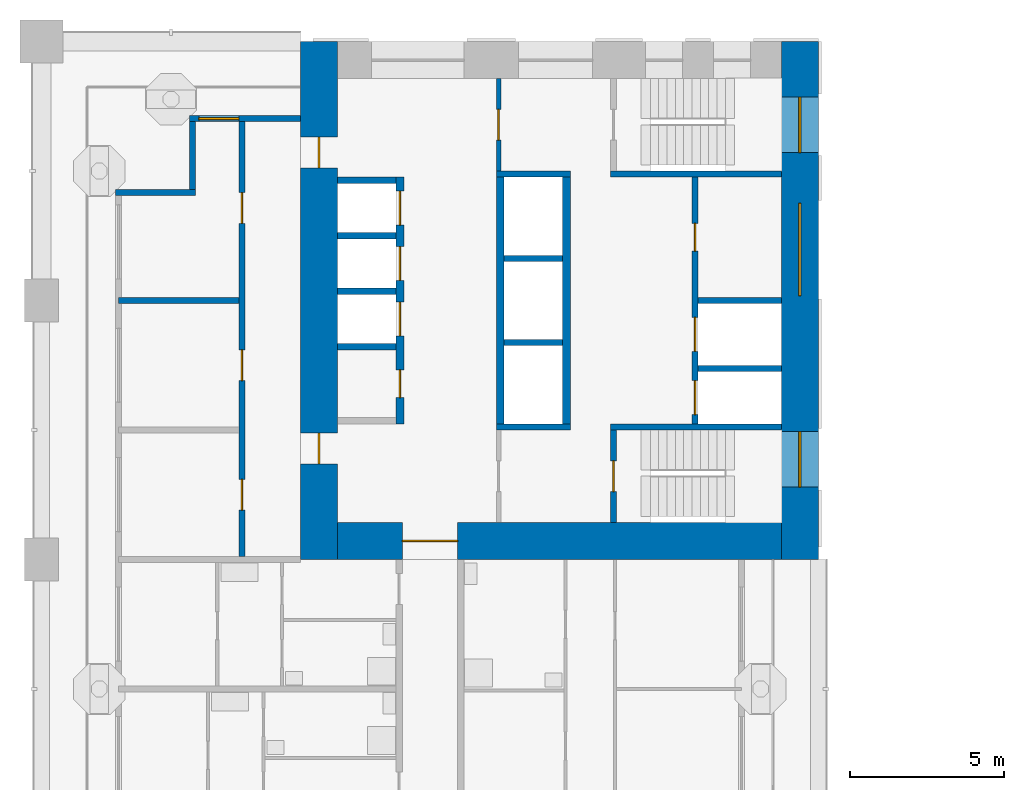
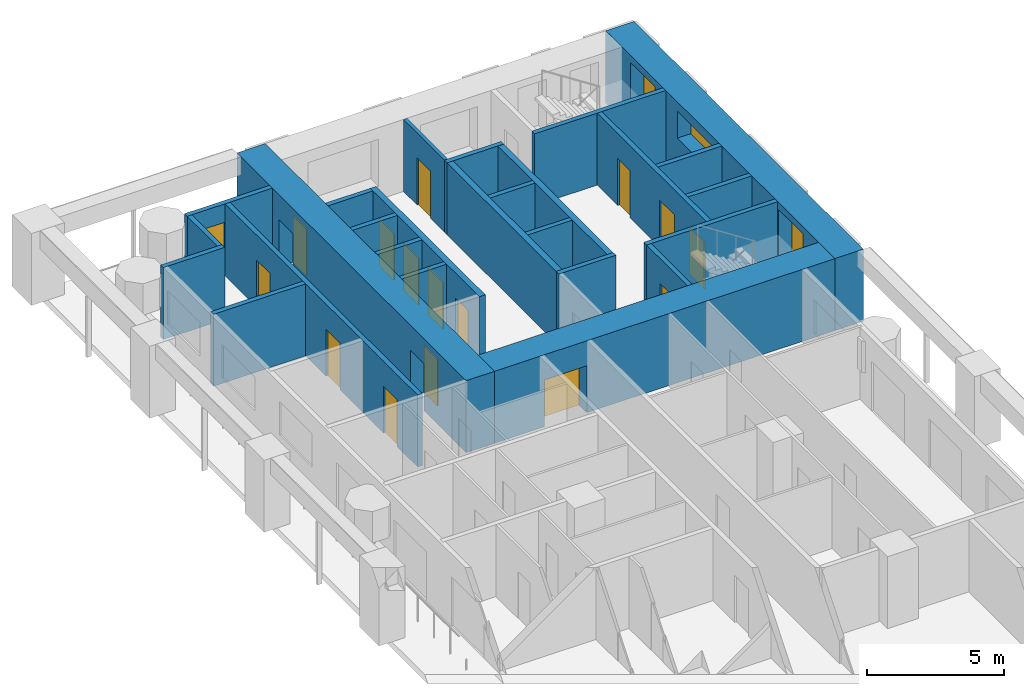
# One storey, part 8 of 19: 26 walls, 15 doors, 4 windows, 19 openings.
"""IFC4 building model written with IfcOpenShell, lengths in metres."""

from ifc_helpers import new_model, si_unit, direction, frame, frame_2d, origin, place, context, subcontext, project, spatial, rectangle, extrude, material, layer, layer_set, type_object, element, fill, save


model = new_model("IFC4")

# Units and contexts
model_context = context("Model", 3, precision=1e-05, world=origin(), true_north=direction((0.0, 1.0)))
body_context = subcontext(model_context, "Body", "Model", "MODEL_VIEW")
ifc_project = project(units=[si_unit("LENGTHUNIT", "METRE"), si_unit("AREAUNIT", "SQUARE_METRE"), si_unit("VOLUMEUNIT", "CUBIC_METRE"), si_unit("PLANEANGLEUNIT", "RADIAN"), si_unit("MASSUNIT", "GRAM", prefix="KILO")], contexts=[model_context])

# Site, building, storey
site_placement = place(None, origin())
site = spatial("IfcSite", under=ifc_project, at=site_placement, CompositionType="ELEMENT")
building_placement = place(site_placement, origin())
building = spatial("IfcBuilding", under=site, at=building_placement, Name="Vermilion Gate Residences", CompositionType="ELEMENT")
storey_placement = place(building_placement, frame((0.0, 0.0, 28.699951171875)))
storey = spatial("IfcBuildingStorey", under=building, at=storey_placement, Name="L05", CompositionType="ELEMENT", Elevation=28.699951171875)

# Wall, opening, door
ifc_material_1 = material(Name="Masonry blockwork", Category="masonry")
ifc_layer_1 = layer(ifc_material_1, 0.14990234375)
ifc_layer_set_1 = layer_set([ifc_layer_1], Name="BLOCKWORK PARTITION 150 EI 120")
wall_type_1 = type_object("IfcWallType", Name="BLOCKWORK PARTITION 150 EI 120", PredefinedType="PARTITIONING", material=ifc_layer_set_1)
wall_1_placement = place(storey_placement, frame((14.824951171875, 57.60009765625, 0.0), z_axis=(0.0, 0.0, 1.0), x_axis=(0.0, -1.0, 0.0)))
wall_1 = element("IfcWall", 1, at=wall_1_placement, inside=storey, type_object=wall_type_1, Name="Core room partition B05-VW-S", PredefinedType="PARTITIONING", context=body_context, shape_type="SweptSolid", body=[
    extrude(rectangle(XDim=3.0, YDim=0.14990234375, at=frame_2d((1.5, 0.0))), origin(), (0.0, 0.0, 1.0), 3.219970703125),
])
opening_1_placement = place(wall_1_placement, frame((1.0, 0.0, 0.0)))
opening_1 = element("IfcOpeningElement", 2, at=opening_1_placement, cuts=wall_1, Name="Opening DK05111", PredefinedType="OPENING", context=body_context, shape_type="SweptSolid", body=[
    extrude(rectangle(XDim=1.0, YDim=2.10009765625, at=frame_2d((0.5, 1.050048828125))), frame((0.0, 0.0849609375, 0.0), z_axis=(0.0, -1.0, 0.0), x_axis=(1.0, 0.0, 0.0)), (0.0, 0.0, 1.0), 0.169921875),
])
ifc_material_2 = material(Name="Steel", Category="steel")
door_type_1 = type_object("IfcDoorType", Name="FIRE DOOR FD60 1000 X 2100", OperationType="SINGLE_SWING_LEFT", PredefinedType="DOOR", material=ifc_material_2)
door_1_placement = place(opening_1_placement, frame((1.0, 0.0, 0.0), z_axis=(0.0, 0.0, 1.0), x_axis=(-1.0, 0.0, 0.0)))
door_1 = element("IfcDoor", 3, at=door_1_placement, inside=storey, type_object=door_type_1, Name="Stair vestibule door B05", OperationType="SINGLE_SWING_RIGHT", OverallHeight=2.10009765625, OverallWidth=1.0, PredefinedType="DOOR", context=body_context, shape_type="SweptSolid", body=[
    extrude(rectangle(XDim=1.0, YDim=2.10009765625, at=frame_2d((0.5, 1.050048828125))), frame((0.0, 0.02490234375, 0.0), z_axis=(0.0, -1.0, 0.0), x_axis=(1.0, 0.0, 0.0)), (0.0, 0.0, 1.0), 0.050048828125),
])
fill(opening_1, door_1)

# Wall, opening, window
ifc_material_3 = material(Name="Insulated steel stud wall with terracotta rainscreen", Category="masonry")
ifc_layer_2 = layer(ifc_material_3, 0.199951171875)
ifc_layer_set_2 = layer_set([ifc_layer_2], Name="EXTERNAL WALL 200 TERRACOTTA RAINSCREEN")
wall_type_2 = type_object("IfcWallType", Name="EXTERNAL WALL 200 TERRACOTTA RAINSCREEN", PredefinedType="SOLIDWALL", material=ifc_layer_set_2)
wall_2_placement = place(storey_placement, frame((8.39990234375, 56.300048828125, 0.0), z_axis=(0.0, 0.0, 1.0), x_axis=(-1.0, 0.0, 0.0)))
wall_2 = element("IfcWall", 4, at=wall_2_placement, inside=storey, type_object=wall_type_2, Name="External wall", PredefinedType="SOLIDWALL", context=body_context, shape_type="SweptSolid", body=[
    extrude(rectangle(XDim=3.599853515625, YDim=0.199951171875, at=frame_2d((1.7998046875, 0.0))), origin(), (0.0, 0.0, 1.0), 3.219970703125),
])
opening_2_placement = place(wall_2_placement, frame((2.0, 0.0, 0.89990234375)))
opening_2 = element("IfcOpeningElement", 5, at=opening_2_placement, cuts=wall_2, Name="Opening WE05001", PredefinedType="OPENING", context=body_context, shape_type="SweptSolid", body=[
    extrude(rectangle(XDim=1.300048828125, YDim=1.5, at=frame_2d((0.64990234375, 0.75))), frame((0.0, 0.10986328125, 0.0), z_axis=(0.0, -1.0, 0.0), x_axis=(1.0, 0.0, 0.0)), (0.0, 0.0, 1.0), 0.219970703125),
])
ifc_material_4 = material(Name="Aluminium and clear glass", Category="aluminium")
window_type_1 = type_object("IfcWindowType", Name="WINDOW 1300 X 1500", PartitioningType="SINGLE_PANEL", PredefinedType="WINDOW", material=ifc_material_4)
window_1_placement = place(opening_2_placement, origin())
window_1 = element("IfcWindow", 6, at=window_1_placement, inside=storey, type_object=window_type_1, Name="Window", OverallHeight=1.5, OverallWidth=1.300048828125, PartitioningType="SINGLE_PANEL", PredefinedType="WINDOW", context=body_context, shape_type="SweptSolid", body=[
    extrude(rectangle(XDim=1.300048828125, YDim=1.5, at=frame_2d((0.64990234375, 0.75))), frame((0.0, 0.030029296875, 0.0), z_axis=(0.0, -1.0, 0.0), x_axis=(1.0, 0.0, 0.0)), (0.0, 0.0, 1.0), 0.06005859375),
])
fill(opening_2, window_1)

# Walls
wall_3_placement = place(storey_placement, frame((4.89990234375, 56.199951171875, 0.0), z_axis=(0.0, 0.0, 1.0), x_axis=(0.0, -1.0, 0.0)))
element("IfcWall", 7, at=wall_3_placement, inside=storey, type_object=wall_type_2, Name="External wall", PredefinedType="SOLIDWALL", context=body_context, shape_type="SweptSolid", body=[
    extrude(rectangle(XDim=2.199951171875, YDim=0.199951171875, at=frame_2d((1.10009765625, 0.0))), origin(), (0.0, 0.0, 1.0), 3.219970703125),
])
wall_4_placement = place(storey_placement, frame((5.0, 53.89990234375, 0.0), z_axis=(0.0, 0.0, 1.0), x_axis=(-1.0, 0.0, 0.0)))
element("IfcWall", 8, at=wall_4_placement, inside=storey, type_object=wall_type_2, Name="External wall", PredefinedType="SOLIDWALL", context=body_context, shape_type="SweptSolid", body=[
    extrude(rectangle(XDim=2.60009765625, YDim=0.199951171875, at=frame_2d((1.300048828125, 0.0))), origin(), (0.0, 0.0, 1.0), 3.219970703125),
])
ifc_material_5 = material(Name="Fire-rated plasterboard on steel studs", Category="steel")
ifc_layer_3 = layer(ifc_material_5, 0.199951171875)
ifc_layer_set_3 = layer_set([ifc_layer_3], Name="PARTY WALL 200 EI 120")
wall_type_3 = type_object("IfcWallType", Name="PARTY WALL 200 EI 120", PredefinedType="PARTITIONING", material=ifc_layer_set_3)
wall_5_placement = place(storey_placement, frame((2.5, 50.39990234375, 0.0), z_axis=(0.0, 0.0, 1.0), x_axis=(1.0, 0.0, 0.0)))
element("IfcWall", 9, at=wall_5_placement, inside=storey, type_object=wall_type_3, Name="Party and corridor wall", PredefinedType="PARTITIONING", context=body_context, shape_type="SweptSolid", body=[
    extrude(rectangle(XDim=3.89990234375, YDim=0.199951171875, at=frame_2d((1.949951171875, 0.0))), origin(), (0.0, 0.0, 1.0), 3.219970703125),
])

# Wall, openings, doors
wall_6_placement = place(storey_placement, frame((6.5, 42.10009765625, 0.0), z_axis=(0.0, 0.0, 1.0), x_axis=(0.0, 1.0, 0.0)))
wall_6 = element("IfcWall", 10, at=wall_6_placement, inside=storey, type_object=wall_type_3, Name="Party and corridor wall", PredefinedType="PARTITIONING", context=body_context, shape_type="SweptSolid", body=[
    extrude(rectangle(XDim=14.199951171875, YDim=0.199951171875, at=frame_2d((7.10009765625, 0.0))), origin(), (0.0, 0.0, 1.0), 3.219970703125),
])
opening_3_placement = place(wall_6_placement, frame((1.5, 0.0, 0.0)))
opening_3 = element("IfcOpeningElement", 11, at=opening_3_placement, cuts=wall_6, Name="Opening DA04035", PredefinedType="OPENING", context=body_context, shape_type="SweptSolid", body=[
    extrude(rectangle(XDim=1.0, YDim=2.10009765625, at=frame_2d((0.5, 1.050048828125))), frame((0.0, 0.10986328125, 0.0), z_axis=(0.0, -1.0, 0.0), x_axis=(1.0, 0.0, 0.0)), (0.0, 0.0, 1.0), 0.219970703125),
])
opening_4_placement = place(wall_6_placement, frame((5.699951171875, 0.0, 0.0)))
opening_4 = element("IfcOpeningElement", 12, at=opening_4_placement, cuts=wall_6, Name="Opening DA04036", PredefinedType="OPENING", context=body_context, shape_type="SweptSolid", body=[
    extrude(rectangle(XDim=1.0, YDim=2.10009765625, at=frame_2d((0.5, 1.050048828125))), frame((0.0, 0.10986328125, 0.0), z_axis=(0.0, -1.0, 0.0), x_axis=(1.0, 0.0, 0.0)), (0.0, 0.0, 1.0), 0.219970703125),
])
opening_5_placement = place(wall_6_placement, frame((10.800048828125, 0.0, 0.0)))
opening_5 = element("IfcOpeningElement", 13, at=opening_5_placement, cuts=wall_6, Name="Opening DA04037", PredefinedType="OPENING", context=body_context, shape_type="SweptSolid", body=[
    extrude(rectangle(XDim=1.0, YDim=2.10009765625, at=frame_2d((0.5, 1.050048828125))), frame((0.0, 0.10986328125, 0.0), z_axis=(0.0, -1.0, 0.0), x_axis=(1.0, 0.0, 0.0)), (0.0, 0.0, 1.0), 0.219970703125),
])
ifc_material_6 = material(Name="Steel", Category="steel")
door_type_2 = type_object("IfcDoorType", Name="ENTRANCE DOOR 1000 X 2100 FD30", OperationType="SINGLE_SWING_LEFT", PredefinedType="DOOR", material=ifc_material_6)
door_2_placement = place(opening_3_placement, origin())
door_2 = element("IfcDoor", 14, at=door_2_placement, inside=storey, type_object=door_type_2, Name="Entrance door", OperationType="SINGLE_SWING_LEFT", OverallHeight=2.10009765625, OverallWidth=1.0, PredefinedType="DOOR", context=body_context, shape_type="SweptSolid", body=[
    extrude(rectangle(XDim=1.0, YDim=2.10009765625, at=frame_2d((0.5, 1.050048828125))), frame((0.0, 0.02490234375, 0.0), z_axis=(0.0, -1.0, 0.0), x_axis=(1.0, 0.0, 0.0)), (0.0, 0.0, 1.0), 0.050048828125),
])
fill(opening_3, door_2)
door_3_placement = place(opening_4_placement, origin())
door_3 = element("IfcDoor", 15, at=door_3_placement, inside=storey, type_object=door_type_2, Name="Entrance door", OperationType="SINGLE_SWING_RIGHT", OverallHeight=2.10009765625, OverallWidth=1.0, PredefinedType="DOOR", context=body_context, shape_type="SweptSolid", body=[
    extrude(rectangle(XDim=1.0, YDim=2.10009765625, at=frame_2d((0.5, 1.050048828125))), frame((0.0, 0.02490234375, 0.0), z_axis=(0.0, -1.0, 0.0), x_axis=(1.0, 0.0, 0.0)), (0.0, 0.0, 1.0), 0.050048828125),
])
fill(opening_4, door_3)
door_4_placement = place(opening_5_placement, origin())
door_4 = element("IfcDoor", 16, at=door_4_placement, inside=storey, type_object=door_type_2, Name="Entrance door", OperationType="SINGLE_SWING_RIGHT", OverallHeight=2.10009765625, OverallWidth=1.0, PredefinedType="DOOR", context=body_context, shape_type="SweptSolid", body=[
    extrude(rectangle(XDim=1.0, YDim=2.10009765625, at=frame_2d((0.5, 1.050048828125))), frame((0.0, 0.02490234375, 0.0), z_axis=(0.0, -1.0, 0.0), x_axis=(1.0, 0.0, 0.0)), (0.0, 0.0, 1.0), 0.050048828125),
])
fill(opening_5, door_4)

# Walls
ifc_material_7 = material(Name="Concrete C60", Category="concrete")
ifc_layer_4 = layer(ifc_material_7, 0.199951171875)
ifc_layer_set_4 = layer_set([ifc_layer_4], Name="RC CORE INTERNAL WALL 200 C60")
wall_type_4 = type_object("IfcWallType", Name="RC CORE INTERNAL WALL 200 C60", PredefinedType="SHEAR", material=ifc_layer_set_4)
for number, where, z_axis, x_axis, name in (
    (17, (9.60009765625, 54.300048828125, 0.0), (0.0, 0.0, 1.0), (1.0, 0.0, 0.0), "Core internal wall B05-LR-D0"),
    (18, (9.60009765625, 52.5, 0.0), (0.0, 0.0, 1.0), (1.0, 0.0, 0.0), "Core internal wall B05-LR-D1"),
    (19, (9.60009765625, 50.699951171875, 0.0), (0.0, 0.0, 1.0), (1.0, 0.0, 0.0), "Core internal wall B05-LR-D2"),
    (20, (9.60009765625, 48.89990234375, 0.0), (0.0, 0.0, 1.0), (1.0, 0.0, 0.0), "Core internal wall B05-LR-D3"),
    (21, (15.0, 51.7666015625, 0.0), (0.0, 0.0, 1.0), (1.0, 0.0, 0.0), "Core internal wall B05-HR-D1"),
    (22, (15.0, 49.033447265625, 0.0), (0.0, 0.0, 1.0), (1.0, 0.0, 0.0), "Core internal wall B05-HR-D2"),
):
    element("IfcWall", number, at=place(storey_placement, frame(where, z_axis=z_axis, x_axis=x_axis)), inside=storey, type_object=wall_type_4, Name=name, PredefinedType="SHEAR", context=body_context, shape_type="SweptSolid", body=[
        extrude(rectangle(XDim=1.89990234375, YDim=0.199951171875, at=frame_2d((0.949951171875, 0.0))), origin(), (0.0, 0.0, 1.0), 3.219970703125),
    ])
for number, where, z_axis, x_axis, name in (
    (23, (21.300048828125, 50.39990234375, 0.0), (0.0, 0.0, 1.0), (1.0, 0.0, 0.0), "Core internal wall B05-FF-D0"),
    (24, (21.300048828125, 48.199951171875, 0.0), (0.0, 0.0, 1.0), (1.0, 0.0, 0.0), "Core internal wall B05-FF-D1"),
):
    element("IfcWall", number, at=place(storey_placement, frame(where, z_axis=z_axis, x_axis=x_axis)), inside=storey, type_object=wall_type_4, Name=name, PredefinedType="SHEAR", context=body_context, shape_type="SweptSolid", body=[
        extrude(rectangle(XDim=2.699951171875, YDim=0.199951171875, at=frame_2d((1.35009765625, 0.0))), origin(), (0.0, 0.0, 1.0), 3.219970703125),
    ])

# Wall, openings, doors
wall_7_placement = place(storey_placement, frame((21.199951171875, 54.39990234375, 0.0), z_axis=(0.0, 0.0, 1.0), x_axis=(0.0, -1.0, 0.0)))
wall_7 = element("IfcWall", 25, at=wall_7_placement, inside=storey, type_object=wall_type_4, Name="Core internal wall B05-FF-F", PredefinedType="SHEAR", context=body_context, shape_type="SweptSolid", body=[
    extrude(rectangle(XDim=8.0, YDim=0.199951171875, at=frame_2d((4.0, 0.0))), origin(), (0.0, 0.0, 1.0), 3.219970703125),
])
opening_6_placement = place(wall_7_placement, frame((1.5, 0.0, 0.0)))
opening_6 = element("IfcOpeningElement", 26, at=opening_6_placement, cuts=wall_7, Name="Opening DK05108", PredefinedType="OPENING", context=body_context, shape_type="SweptSolid", body=[
    extrude(rectangle(XDim=0.89990234375, YDim=2.10009765625, at=frame_2d((0.449951171875, 1.050048828125))), frame((0.0, 0.10986328125, 0.0), z_axis=(0.0, -1.0, 0.0), x_axis=(1.0, 0.0, 0.0)), (0.0, 0.0, 1.0), 0.219970703125),
])
opening_7_placement = place(wall_7_placement, frame((4.550048828125, 0.0, 0.0)))
opening_7 = element("IfcOpeningElement", 27, at=opening_7_placement, cuts=wall_7, Name="Opening LD", PredefinedType="OPENING", context=body_context, shape_type="SweptSolid", body=[
    extrude(rectangle(XDim=1.10009765625, YDim=2.10009765625, at=frame_2d((0.550048828125, 1.050048828125))), frame((0.0, 0.10986328125, 0.0), z_axis=(0.0, -1.0, 0.0), x_axis=(1.0, 0.0, 0.0)), (0.0, 0.0, 1.0), 0.219970703125),
])
opening_8_placement = place(wall_7_placement, frame((6.60009765625, 0.0, 0.0)))
opening_8 = element("IfcOpeningElement", 28, at=opening_8_placement, cuts=wall_7, Name="Opening LD", PredefinedType="OPENING", context=body_context, shape_type="SweptSolid", body=[
    extrude(rectangle(XDim=1.10009765625, YDim=2.10009765625, at=frame_2d((0.550048828125, 1.050048828125))), frame((0.0, 0.10986328125, 0.0), z_axis=(0.0, -1.0, 0.0), x_axis=(1.0, 0.0, 0.0)), (0.0, 0.0, 1.0), 0.219970703125),
])
ifc_material_8 = material(Name="Stainless steel", Category="steel")
door_type_3 = type_object("IfcDoorType", Name="LIFT LANDING DOOR E60 1100 X 2100", OperationType="DOUBLE_DOOR_SLIDING", PredefinedType="DOOR", material=ifc_material_8)
door_5_placement = place(opening_7_placement, origin())
door_5 = element("IfcDoor", 29, at=door_5_placement, inside=storey, type_object=door_type_3, Name="Lift landing door LFB1", OperationType="DOUBLE_DOOR_SLIDING", OverallHeight=2.10009765625, OverallWidth=1.10009765625, PredefinedType="DOOR", context=body_context, shape_type="SweptSolid", body=[
    extrude(rectangle(XDim=1.10009765625, YDim=2.10009765625, at=frame_2d((0.550048828125, 1.050048828125))), frame((0.0, 0.02490234375, 0.0), z_axis=(0.0, -1.0, 0.0), x_axis=(1.0, 0.0, 0.0)), (0.0, 0.0, 1.0), 0.050048828125),
])
fill(opening_7, door_5)
door_6_placement = place(opening_8_placement, origin())
door_6 = element("IfcDoor", 30, at=door_6_placement, inside=storey, type_object=door_type_3, Name="Lift landing door LCB1", OperationType="DOUBLE_DOOR_SLIDING", OverallHeight=2.10009765625, OverallWidth=1.10009765625, PredefinedType="DOOR", context=body_context, shape_type="SweptSolid", body=[
    extrude(rectangle(XDim=1.10009765625, YDim=2.10009765625, at=frame_2d((0.550048828125, 1.050048828125))), frame((0.0, 0.02490234375, 0.0), z_axis=(0.0, -1.0, 0.0), x_axis=(1.0, 0.0, 0.0)), (0.0, 0.0, 1.0), 0.050048828125),
])
fill(opening_8, door_6)
ifc_material_9 = material(Name="Steel", Category="steel")
door_type_4 = type_object("IfcDoorType", Name="SERVICE ROOM DOOR FD60 900 X 2100", OperationType="SINGLE_SWING_LEFT", PredefinedType="DOOR", material=ifc_material_9)
door_7_placement = place(opening_6_placement, origin())
door_7 = element("IfcDoor", 31, at=door_7_placement, inside=storey, type_object=door_type_4, Name="Electrical riser B05", OperationType="SINGLE_SWING_LEFT", OverallHeight=2.10009765625, OverallWidth=0.89990234375, PredefinedType="DOOR", context=body_context, shape_type="SweptSolid", body=[
    extrude(rectangle(XDim=0.89990234375, YDim=2.10009765625, at=frame_2d((0.449951171875, 1.050048828125))), frame((0.0, 0.02490234375, 0.0), z_axis=(0.0, -1.0, 0.0), x_axis=(1.0, 0.0, 0.0)), (0.0, 0.0, 1.0), 0.050048828125),
])
fill(opening_6, door_7)

# Walls
wall_8_placement = place(storey_placement, frame((14.75, 54.5, 0.0), z_axis=(0.0, 0.0, 1.0), x_axis=(1.0, 0.0, 0.0)))
element("IfcWall", 32, at=wall_8_placement, inside=storey, type_object=wall_type_4, Name="Core internal wall B05-WDIV1", PredefinedType="SHEAR", context=body_context, shape_type="SweptSolid", body=[
    extrude(rectangle(XDim=2.39990234375, YDim=0.199951171875, at=frame_2d((1.199951171875, 0.0))), origin(), (0.0, 0.0, 1.0), 3.219970703125),
])
wall_9_placement = place(storey_placement, frame((18.449951171875, 54.5, 0.0), z_axis=(0.0, 0.0, 1.0), x_axis=(1.0, 0.0, 0.0)))
element("IfcWall", 33, at=wall_9_placement, inside=storey, type_object=wall_type_4, Name="Core internal wall B05-WDIV2", PredefinedType="SHEAR", context=body_context, shape_type="SweptSolid", body=[
    extrude(rectangle(XDim=5.550048828125, YDim=0.199951171875, at=frame_2d((2.77490234375, 0.0))), origin(), (0.0, 0.0, 1.0), 3.219970703125),
])
wall_10_placement = place(storey_placement, frame((14.75, 46.300048828125, 0.0), z_axis=(0.0, 0.0, 1.0), x_axis=(1.0, 0.0, 0.0)))
element("IfcWall", 34, at=wall_10_placement, inside=storey, type_object=wall_type_4, Name="Core internal wall B05-EDIV1", PredefinedType="SHEAR", context=body_context, shape_type="SweptSolid", body=[
    extrude(rectangle(XDim=2.39990234375, YDim=0.199951171875, at=frame_2d((1.199951171875, 0.0))), origin(), (0.0, 0.0, 1.0), 3.219970703125),
])
wall_11_placement = place(storey_placement, frame((18.449951171875, 46.300048828125, 0.0), z_axis=(0.0, 0.0, 1.0), x_axis=(1.0, 0.0, 0.0)))
element("IfcWall", 35, at=wall_11_placement, inside=storey, type_object=wall_type_4, Name="Core internal wall B05-EDIV2", PredefinedType="SHEAR", context=body_context, shape_type="SweptSolid", body=[
    extrude(rectangle(XDim=5.550048828125, YDim=0.199951171875, at=frame_2d((2.77490234375, 0.0))), origin(), (0.0, 0.0, 1.0), 3.219970703125),
])

# Wall, opening, door
wall_12_placement = place(storey_placement, frame((18.550048828125, 46.199951171875, 0.0), z_axis=(0.0, 0.0, 1.0), x_axis=(0.0, -1.0, 0.0)))
wall_12 = element("IfcWall", 36, at=wall_12_placement, inside=storey, type_object=wall_type_4, Name="Core internal wall B05-STE-S", PredefinedType="SHEAR", context=body_context, shape_type="SweptSolid", body=[
    extrude(rectangle(XDim=3.0, YDim=0.199951171875, at=frame_2d((1.5, 0.0))), origin(), (0.0, 0.0, 1.0), 3.219970703125),
])
opening_9_placement = place(wall_12_placement, frame((1.0, 0.0, 0.0)))
opening_9 = element("IfcOpeningElement", 37, at=opening_9_placement, cuts=wall_12, Name="Opening DK05114", PredefinedType="OPENING", context=body_context, shape_type="SweptSolid", body=[
    extrude(rectangle(XDim=1.0, YDim=2.10009765625, at=frame_2d((0.5, 1.050048828125))), frame((0.0, 0.10986328125, 0.0), z_axis=(0.0, -1.0, 0.0), x_axis=(1.0, 0.0, 0.0)), (0.0, 0.0, 1.0), 0.219970703125),
])
door_8_placement = place(opening_9_placement, origin())
door_8 = element("IfcDoor", 38, at=door_8_placement, inside=storey, type_object=door_type_1, Name="Stair door B05", OperationType="SINGLE_SWING_LEFT", OverallHeight=2.10009765625, OverallWidth=1.0, PredefinedType="DOOR", context=body_context, shape_type="SweptSolid", body=[
    extrude(rectangle(XDim=1.0, YDim=2.10009765625, at=frame_2d((0.5, 1.050048828125))), frame((0.0, 0.02490234375, 0.0), z_axis=(0.0, -1.0, 0.0), x_axis=(1.0, 0.0, 0.0)), (0.0, 0.0, 1.0), 0.050048828125),
])
fill(opening_9, door_8)

# Wall, openings, doors
ifc_material_10 = material(Name="Concrete C80", Category="concrete")
ifc_layer_5 = layer(ifc_material_10, 1.199951171875)
ifc_layer_set_5 = layer_set([ifc_layer_5], Name="RC CORE WALL 1200 C80")
wall_type_5 = type_object("IfcWallType", Name="RC CORE WALL 1200 C80", PredefinedType="SHEAR", material=ifc_layer_set_5)
wall_13_placement = place(storey_placement, frame((9.0, 58.800048828125, 0.0), z_axis=(0.0, 0.0, 1.0), x_axis=(0.0, -1.0, 0.0)))
wall_13 = element("IfcWall", 39, at=wall_13_placement, inside=storey, type_object=wall_type_5, Name="Core wall B05-OUT-B0", PredefinedType="SHEAR", context=body_context, shape_type="SweptSolid", body=[
    extrude(rectangle(XDim=16.800048828125, YDim=1.199951171875, at=frame_2d((8.39990234375, 0.0))), origin(), (0.0, 0.0, 1.0), 3.219970703125),
])
opening_10_placement = place(wall_13_placement, frame((3.10009765625, 0.0, 0.0)))
opening_10 = element("IfcOpeningElement", 40, at=opening_10_placement, cuts=wall_13, Name="Opening DK05101", PredefinedType="OPENING", context=body_context, shape_type="SweptSolid", body=[
    extrude(rectangle(XDim=1.0, YDim=2.10009765625, at=frame_2d((0.5, 1.050048828125))), frame((0.0, 0.60986328125, 0.0), z_axis=(0.0, -1.0, 0.0), x_axis=(1.0, 0.0, 0.0)), (0.0, 0.0, 1.0), 1.219970703125),
])
opening_11_placement = place(wall_13_placement, frame((12.699951171875, 0.0, 0.0)))
opening_11 = element("IfcOpeningElement", 41, at=opening_11_placement, cuts=wall_13, Name="Opening DK05102", PredefinedType="OPENING", context=body_context, shape_type="SweptSolid", body=[
    extrude(rectangle(XDim=1.0, YDim=2.10009765625, at=frame_2d((0.5, 1.050048828125))), frame((0.0, 0.60986328125, 0.0), z_axis=(0.0, -1.0, 0.0), x_axis=(1.0, 0.0, 0.0)), (0.0, 0.0, 1.0), 1.219970703125),
])
door_9_placement = place(opening_10_placement, origin())
door_9 = element("IfcDoor", 42, at=door_9_placement, inside=storey, type_object=door_type_1, Name="Core lobby side door B05", OperationType="SINGLE_SWING_RIGHT", OverallHeight=2.10009765625, OverallWidth=1.0, PredefinedType="DOOR", context=body_context, shape_type="SweptSolid", body=[
    extrude(rectangle(XDim=1.0, YDim=2.10009765625, at=frame_2d((0.5, 1.050048828125))), frame((0.0, 0.02490234375, 0.0), z_axis=(0.0, -1.0, 0.0), x_axis=(1.0, 0.0, 0.0)), (0.0, 0.0, 1.0), 0.050048828125),
])
fill(opening_10, door_9)
door_10_placement = place(opening_11_placement, origin())
door_10 = element("IfcDoor", 43, at=door_10_placement, inside=storey, type_object=door_type_1, Name="Core lobby side door B05", OperationType="SINGLE_SWING_LEFT", OverallHeight=2.10009765625, OverallWidth=1.0, PredefinedType="DOOR", context=body_context, shape_type="SweptSolid", body=[
    extrude(rectangle(XDim=1.0, YDim=2.10009765625, at=frame_2d((0.5, 1.050048828125))), frame((0.0, 0.02490234375, 0.0), z_axis=(0.0, -1.0, 0.0), x_axis=(1.0, 0.0, 0.0)), (0.0, 0.0, 1.0), 0.050048828125),
])
fill(opening_11, door_10)

# Wall, opening, door
wall_14_placement = place(storey_placement, frame((9.60009765625, 42.60009765625, 0.0), z_axis=(0.0, 0.0, 1.0), x_axis=(1.0, 0.0, 0.0)))
wall_14 = element("IfcWall", 44, at=wall_14_placement, inside=storey, type_object=wall_type_5, Name="Core wall B05-OUT-BK", PredefinedType="SHEAR", context=body_context, shape_type="SweptSolid", body=[
    extrude(rectangle(XDim=14.39990234375, YDim=1.199951171875, at=frame_2d((7.199951171875, 0.0))), origin(), (0.0, 0.0, 1.0), 3.219970703125),
])
opening_12_placement = place(wall_14_placement, frame((2.10009765625, 0.0, 0.0)))
opening_12 = element("IfcOpeningElement", 45, at=opening_12_placement, cuts=wall_14, Name="Opening DK05103", PredefinedType="OPENING", context=body_context, shape_type="SweptSolid", body=[
    extrude(rectangle(XDim=1.800048828125, YDim=2.10009765625, at=frame_2d((0.89990234375, 1.050048828125))), frame((0.0, 0.60986328125, 0.0), z_axis=(0.0, -1.0, 0.0), x_axis=(1.0, 0.0, 0.0)), (0.0, 0.0, 1.0), 1.219970703125),
])
ifc_material_11 = material(Name="Steel", Category="steel")
door_type_5 = type_object("IfcDoorType", Name="CORE LOBBY DOOR FD60 1800 X 2100", OperationType="DOUBLE_DOOR_SINGLE_SWING", PredefinedType="DOOR", material=ifc_material_11)
door_11_placement = place(opening_12_placement, origin())
door_11 = element("IfcDoor", 46, at=door_11_placement, inside=storey, type_object=door_type_5, Name="Core lobby door B05", OperationType="DOUBLE_DOOR_SINGLE_SWING", OverallHeight=2.10009765625, OverallWidth=1.800048828125, PredefinedType="DOOR", context=body_context, shape_type="SweptSolid", body=[
    extrude(rectangle(XDim=1.800048828125, YDim=2.10009765625, at=frame_2d((0.89990234375, 1.050048828125))), frame((0.0, 0.02490234375, 0.0), z_axis=(0.0, -1.0, 0.0), x_axis=(1.0, 0.0, 0.0)), (0.0, 0.0, 1.0), 0.050048828125),
])
fill(opening_12, door_11)

# Wall, openings, windows
ifc_material_12 = material(Name="Concrete C80 red-oxide pigmented", Category="concrete")
ifc_layer_6 = layer(ifc_material_12, 1.199951171875)
ifc_layer_set_6 = layer_set([ifc_layer_6], Name="RC CORE WALL 1200 C80 RED OXIDE")
wall_type_6 = type_object("IfcWallType", Name="RC CORE WALL 1200 C80 RED OXIDE", PredefinedType="SHEAR", material=ifc_layer_set_6)
wall_15_placement = place(storey_placement, frame((24.60009765625, 58.800048828125, 0.0), z_axis=(0.0, 0.0, 1.0), x_axis=(0.0, -1.0, 0.0)))
wall_15 = element("IfcWall", 47, at=wall_15_placement, inside=storey, type_object=wall_type_6, Name="Core wall B05-OUT-B1", PredefinedType="SHEAR", context=body_context, shape_type="SweptSolid", body=[
    extrude(rectangle(XDim=16.800048828125, YDim=1.199951171875, at=frame_2d((8.39990234375, 0.0))), origin(), (0.0, 0.0, 1.0), 3.219970703125),
])
opening_13_placement = place(wall_15_placement, frame((1.800048828125, 0.0, 0.5)))
opening_13 = element("IfcOpeningElement", 48, at=opening_13_placement, cuts=wall_15, Name="Opening WKB0501", PredefinedType="OPENING", context=body_context, shape_type="SweptSolid", body=[
    extrude(rectangle(XDim=1.800048828125, YDim=2.39990234375, at=frame_2d((0.89990234375, 1.199951171875))), frame((0.0, 0.60986328125, 0.0), z_axis=(0.0, -1.0, 0.0), x_axis=(1.0, 0.0, 0.0)), (0.0, 0.0, 1.0), 1.219970703125),
])
opening_14_placement = place(wall_15_placement, frame((5.25, 0.0, 1.60009765625)))
opening_14 = element("IfcOpeningElement", 49, at=opening_14_placement, cuts=wall_15, Name="Opening WKB0502", PredefinedType="OPENING", context=body_context, shape_type="SweptSolid", body=[
    extrude(rectangle(XDim=3.0, YDim=1.199951171875, at=frame_2d((1.5, 0.60009765625))), frame((0.0, 0.60986328125, 0.0), z_axis=(0.0, -1.0, 0.0), x_axis=(1.0, 0.0, 0.0)), (0.0, 0.0, 1.0), 1.219970703125),
])
opening_15_placement = place(wall_15_placement, frame((12.64990234375, 0.0, 0.5)))
opening_15 = element("IfcOpeningElement", 50, at=opening_15_placement, cuts=wall_15, Name="Opening WKB0503", PredefinedType="OPENING", context=body_context, shape_type="SweptSolid", body=[
    extrude(rectangle(XDim=1.800048828125, YDim=2.39990234375, at=frame_2d((0.89990234375, 1.199951171875))), frame((0.0, 0.60986328125, 0.0), z_axis=(0.0, -1.0, 0.0), x_axis=(1.0, 0.0, 0.0)), (0.0, 0.0, 1.0), 1.219970703125),
])
ifc_material_13 = material(Name="Aluminium frame with louvre blades", Category="aluminium")
window_type_2 = type_object("IfcWindowType", Name="CORE LOUVRE 3000 X 1200", PartitioningType="SINGLE_PANEL", PredefinedType="WINDOW", material=ifc_material_13)
window_2_placement = place(opening_14_placement, origin())
window_2 = element("IfcWindow", 51, at=window_2_placement, inside=storey, type_object=window_type_2, Name="Core louvre", OverallHeight=1.199951171875, OverallWidth=3.0, PartitioningType="SINGLE_PANEL", PredefinedType="WINDOW", context=body_context, shape_type="SweptSolid", body=[
    extrude(rectangle(XDim=3.0, YDim=1.199951171875, at=frame_2d((1.5, 0.60009765625))), frame((0.0, 0.030029296875, 0.0), z_axis=(0.0, -1.0, 0.0), x_axis=(1.0, 0.0, 0.0)), (0.0, 0.0, 1.0), 0.06005859375),
])
fill(opening_14, window_2)
ifc_material_14 = material(Name="Aluminium and clear glass", Category="aluminium")
window_type_3 = type_object("IfcWindowType", Name="CORE STAIR WINDOW 1800 X 2400", PartitioningType="SINGLE_PANEL", PredefinedType="WINDOW", material=ifc_material_14)
window_3_placement = place(opening_13_placement, origin())
window_3 = element("IfcWindow", 52, at=window_3_placement, inside=storey, type_object=window_type_3, Name="Core stair window", OverallHeight=2.39990234375, OverallWidth=1.800048828125, PartitioningType="SINGLE_PANEL", PredefinedType="WINDOW", context=body_context, shape_type="SweptSolid", body=[
    extrude(rectangle(XDim=1.800048828125, YDim=2.39990234375, at=frame_2d((0.89990234375, 1.199951171875))), frame((0.0, 0.030029296875, 0.0), z_axis=(0.0, -1.0, 0.0), x_axis=(1.0, 0.0, 0.0)), (0.0, 0.0, 1.0), 0.06005859375),
])
fill(opening_13, window_3)
window_4_placement = place(opening_15_placement, origin())
window_4 = element("IfcWindow", 53, at=window_4_placement, inside=storey, type_object=window_type_3, Name="Core stair window", OverallHeight=2.39990234375, OverallWidth=1.800048828125, PartitioningType="SINGLE_PANEL", PredefinedType="WINDOW", context=body_context, shape_type="SweptSolid", body=[
    extrude(rectangle(XDim=1.800048828125, YDim=2.39990234375, at=frame_2d((0.89990234375, 1.199951171875))), frame((0.0, 0.030029296875, 0.0), z_axis=(0.0, -1.0, 0.0), x_axis=(1.0, 0.0, 0.0)), (0.0, 0.0, 1.0), 0.06005859375),
])
fill(opening_15, window_4)

# Wall, openings, doors
ifc_material_15 = material(Name="Concrete C60", Category="concrete")
ifc_layer_7 = layer(ifc_material_15, 0.25)
ifc_layer_set_7 = layer_set([ifc_layer_7], Name="RC LIFT SHAFT WALL 250 C60")
wall_type_7 = type_object("IfcWallType", Name="RC LIFT SHAFT WALL 250 C60", PredefinedType="SHEAR", material=ifc_layer_set_7)
wall_16_placement = place(storey_placement, frame((11.625, 54.39990234375, 0.0), z_axis=(0.0, 0.0, 1.0), x_axis=(0.0, -1.0, 0.0)))
wall_16 = element("IfcWall", 54, at=wall_16_placement, inside=storey, type_object=wall_type_7, Name="Lift shaft wall B05-LR-F", PredefinedType="SHEAR", context=body_context, shape_type="SweptSolid", body=[
    extrude(rectangle(XDim=8.0, YDim=0.25, at=frame_2d((4.0, 0.0))), origin(), (0.0, 0.0, 1.0), 3.219970703125),
])
opening_16_placement = place(wall_16_placement, frame((0.449951171875, 0.0, 0.0)))
opening_16 = element("IfcOpeningElement", 55, at=opening_16_placement, cuts=wall_16, Name="Opening LD", PredefinedType="OPENING", context=body_context, shape_type="SweptSolid", body=[
    extrude(rectangle(XDim=1.10009765625, YDim=2.10009765625, at=frame_2d((0.550048828125, 1.050048828125))), frame((0.0, 0.135009765625, 0.0), z_axis=(0.0, -1.0, 0.0), x_axis=(1.0, 0.0, 0.0)), (0.0, 0.0, 1.0), 0.27001953125),
])
opening_17_placement = place(wall_16_placement, frame((2.25, 0.0, 0.0)))
opening_17 = element("IfcOpeningElement", 56, at=opening_17_placement, cuts=wall_16, Name="Opening LD", PredefinedType="OPENING", context=body_context, shape_type="SweptSolid", body=[
    extrude(rectangle(XDim=1.10009765625, YDim=2.10009765625, at=frame_2d((0.550048828125, 1.050048828125))), frame((0.0, 0.135009765625, 0.0), z_axis=(0.0, -1.0, 0.0), x_axis=(1.0, 0.0, 0.0)), (0.0, 0.0, 1.0), 0.27001953125),
])
opening_18_placement = place(wall_16_placement, frame((4.050048828125, 0.0, 0.0)))
opening_18 = element("IfcOpeningElement", 57, at=opening_18_placement, cuts=wall_16, Name="Opening LD", PredefinedType="OPENING", context=body_context, shape_type="SweptSolid", body=[
    extrude(rectangle(XDim=1.10009765625, YDim=2.10009765625, at=frame_2d((0.550048828125, 1.050048828125))), frame((0.0, 0.135009765625, 0.0), z_axis=(0.0, -1.0, 0.0), x_axis=(1.0, 0.0, 0.0)), (0.0, 0.0, 1.0), 0.27001953125),
])
opening_19_placement = place(wall_16_placement, frame((6.25, 0.0, 0.0)))
opening_19 = element("IfcOpeningElement", 58, at=opening_19_placement, cuts=wall_16, Name="Opening DK05107", PredefinedType="OPENING", context=body_context, shape_type="SweptSolid", body=[
    extrude(rectangle(XDim=0.89990234375, YDim=2.10009765625, at=frame_2d((0.449951171875, 1.050048828125))), frame((0.0, 0.135009765625, 0.0), z_axis=(0.0, -1.0, 0.0), x_axis=(1.0, 0.0, 0.0)), (0.0, 0.0, 1.0), 0.27001953125),
])
door_12_placement = place(opening_16_placement, origin())
door_12 = element("IfcDoor", 59, at=door_12_placement, inside=storey, type_object=door_type_3, Name="Lift landing door LRB1", OperationType="DOUBLE_DOOR_SLIDING", OverallHeight=2.10009765625, OverallWidth=1.10009765625, PredefinedType="DOOR", context=body_context, shape_type="SweptSolid", body=[
    extrude(rectangle(XDim=1.10009765625, YDim=2.10009765625, at=frame_2d((0.550048828125, 1.050048828125))), frame((0.0, 0.02490234375, 0.0), z_axis=(0.0, -1.0, 0.0), x_axis=(1.0, 0.0, 0.0)), (0.0, 0.0, 1.0), 0.050048828125),
])
fill(opening_16, door_12)
door_13_placement = place(opening_17_placement, origin())
door_13 = element("IfcDoor", 60, at=door_13_placement, inside=storey, type_object=door_type_3, Name="Lift landing door LRB2", OperationType="DOUBLE_DOOR_SLIDING", OverallHeight=2.10009765625, OverallWidth=1.10009765625, PredefinedType="DOOR", context=body_context, shape_type="SweptSolid", body=[
    extrude(rectangle(XDim=1.10009765625, YDim=2.10009765625, at=frame_2d((0.550048828125, 1.050048828125))), frame((0.0, 0.02490234375, 0.0), z_axis=(0.0, -1.0, 0.0), x_axis=(1.0, 0.0, 0.0)), (0.0, 0.0, 1.0), 0.050048828125),
])
fill(opening_17, door_13)
door_14_placement = place(opening_18_placement, origin())
door_14 = element("IfcDoor", 61, at=door_14_placement, inside=storey, type_object=door_type_3, Name="Lift landing door LRB3", OperationType="DOUBLE_DOOR_SLIDING", OverallHeight=2.10009765625, OverallWidth=1.10009765625, PredefinedType="DOOR", context=body_context, shape_type="SweptSolid", body=[
    extrude(rectangle(XDim=1.10009765625, YDim=2.10009765625, at=frame_2d((0.550048828125, 1.050048828125))), frame((0.0, 0.02490234375, 0.0), z_axis=(0.0, -1.0, 0.0), x_axis=(1.0, 0.0, 0.0)), (0.0, 0.0, 1.0), 0.050048828125),
])
fill(opening_18, door_14)
door_15_placement = place(opening_19_placement, frame((0.89990234375, 0.0, 0.0), z_axis=(0.0, 0.0, 1.0), x_axis=(-1.0, 0.0, 0.0)))
door_15 = element("IfcDoor", 62, at=door_15_placement, inside=storey, type_object=door_type_4, Name="Cleaner's store B05", OperationType="SINGLE_SWING_RIGHT", OverallHeight=2.10009765625, OverallWidth=0.89990234375, PredefinedType="DOOR", context=body_context, shape_type="SweptSolid", body=[
    extrude(rectangle(XDim=0.89990234375, YDim=2.10009765625, at=frame_2d((0.449951171875, 1.050048828125))), frame((0.0, 0.02490234375, 0.0), z_axis=(0.0, -1.0, 0.0), x_axis=(1.0, 0.0, 0.0)), (0.0, 0.0, 1.0), 0.050048828125),
])
fill(opening_19, door_15)

# Walls
for number, where, z_axis, x_axis, name in (
    (63, (14.875, 54.39990234375, 0.0), (0.0, 0.0, 1.0), (0.0, -1.0, 0.0), "Lift shaft wall B05-HR-F"),
    (64, (17.02490234375, 54.39990234375, 0.0), (0.0, 0.0, 1.0), (0.0, -1.0, 0.0), "Lift shaft wall B05-HR-B"),
):
    element("IfcWall", number, at=place(storey_placement, frame(where, z_axis=z_axis, x_axis=x_axis)), inside=storey, type_object=wall_type_7, Name=name, PredefinedType="SHEAR", context=body_context, shape_type="SweptSolid", body=[
        extrude(rectangle(XDim=8.0, YDim=0.25, at=frame_2d((4.0, 0.0))), origin(), (0.0, 0.0, 1.0), 3.219970703125),
    ])

save(model, "model.ifc")
